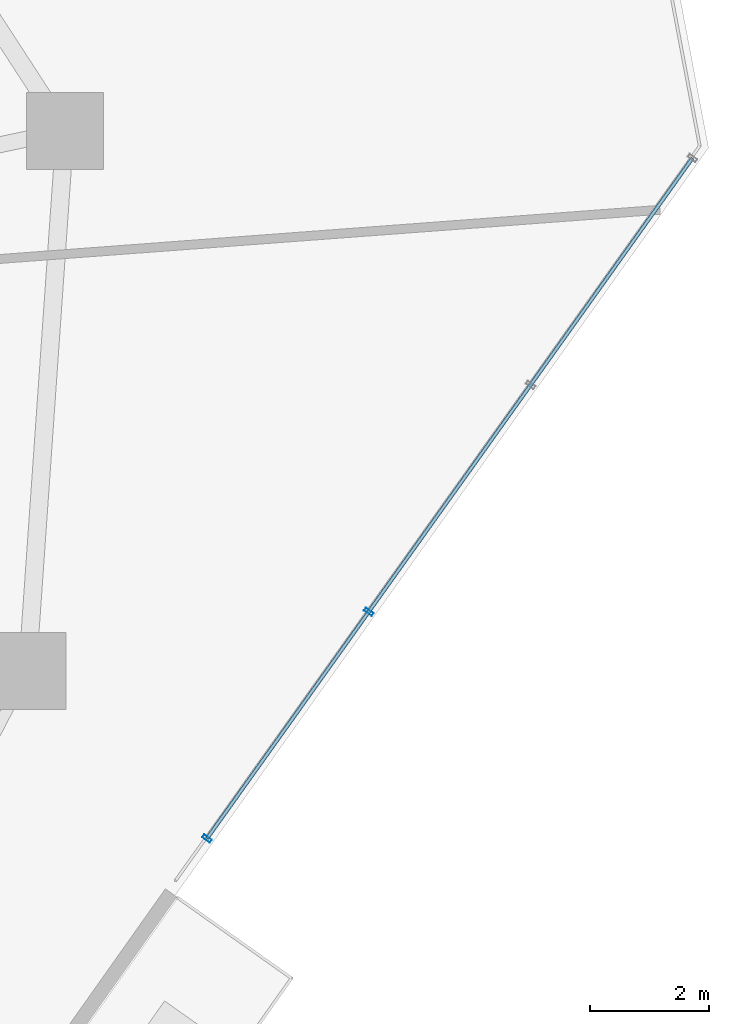
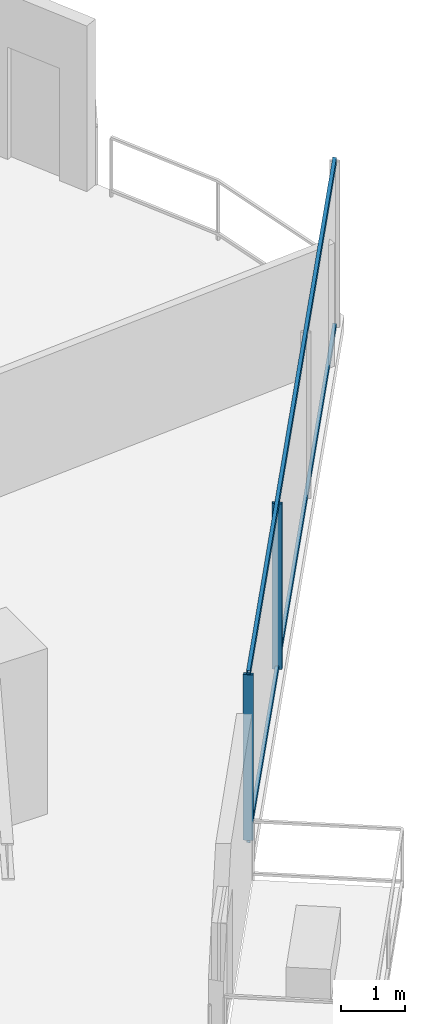
# One storey, part 13 of 30: 4 members, 1 element without a shape of its own.
"""IFC4 building model written with IfcOpenShell, lengths in metres."""

from ifc_helpers import new_model, si_unit, direction, frame, origin, origin_2d, place, context, subcontext, project, spatial, hollow_rectangle, extrude, material, layer, layer_set, material_profile, profile_set, type_object, element, aggregate, save


model = new_model("IFC4")

# Units and contexts
model_context = context("Model", 3, precision=1e-05, world=origin(), true_north=direction((0.0, 1.0)))
body_context = subcontext(model_context, "Body", "Model", "MODEL_VIEW")
ifc_project = project(units=[si_unit("LENGTHUNIT", "METRE"), si_unit("AREAUNIT", "SQUARE_METRE"), si_unit("VOLUMEUNIT", "CUBIC_METRE"), si_unit("PLANEANGLEUNIT", "RADIAN"), si_unit("MASSUNIT", "GRAM", prefix="KILO")], contexts=[model_context])

# Site, building, storey
site_placement = place(None, origin())
site = spatial("IfcSite", under=ifc_project, at=site_placement, CompositionType="ELEMENT")
building_placement = place(site_placement, origin())
building = spatial("IfcBuilding", under=site, at=building_placement, Name="Qarnah Convention Tower", CompositionType="ELEMENT")
storey_placement = place(building_placement, frame((0.0, 0.0, 47.699951171875)))
storey = spatial("IfcBuildingStorey", under=building, at=storey_placement, Name="L11", CompositionType="ELEMENT", Elevation=47.699951171875)

# Curtain wall, members
ifc_material_1 = material(Name="Tempered Low-E dark glass", Category="glass")
ifc_layer = layer(ifc_material_1, 0.16796875)
ifc_layer_set = layer_set([ifc_layer], Name="Tempered Low-E dark glass")
curtain_wall_type = type_object("IfcCurtainWallType", Name="CWS-01", PredefinedType="NOTDEFINED", material=ifc_layer_set)
curtain_wall_placement = place(storey_placement, origin())
curtain_wall = element("IfcCurtainWall", 1, at=curtain_wall_placement, inside=storey, type_object=curtain_wall_type, Name="L11 unitised curtain wall CW-L11-F3", PredefinedType="NOTDEFINED")
ifc_material_2 = material(Name="Black anodised aluminium", Category="aluminium")
ifc_material_profile_1 = material_profile(ifc_material_2, hollow_rectangle(XDim=0.06005859375, YDim=0.159912109375, WallThickness=0.00390625, at=origin_2d()), Name="MUL-60X160")
ifc_profile_set_1 = profile_set([ifc_material_profile_1], Name="Black anodised aluminium")
member_type_1 = type_object("IfcMemberType", Name="MUL-T1", PredefinedType="MULLION", material=ifc_profile_set_1)
member_1_placement = place(storey_placement, frame((58.506591796875, 21.735107421875, 0.0), z_axis=(0.0, 0.0, 1.0), x_axis=(-0.580808410009, -0.814040288231, 0.0)))
member_1 = element("IfcMember", 2, at=member_1_placement, type_object=member_type_1, Name="CW-L11-F3 mullion 3", PredefinedType="MULLION", context=body_context, shape_type="SweptSolid", body=[
    extrude(hollow_rectangle(XDim=0.06005859375, YDim=0.159912109375, WallThickness=0.00390625, at=origin_2d()), origin(), (0.0, 0.0, 1.0), 3.170166015625),
])
member_2_placement = place(storey_placement, frame((55.779052734375, 17.912109375, 0.0), z_axis=(0.0, 0.0, 1.0), x_axis=(-0.580808410009, -0.814040288231, 0.0)))
member_2 = element("IfcMember", 3, at=member_2_placement, type_object=member_type_1, Name="CW-L11-F3 mullion 4", PredefinedType="MULLION", context=body_context, shape_type="SweptSolid", body=[
    extrude(hollow_rectangle(XDim=0.06005859375, YDim=0.159912109375, WallThickness=0.00390625, at=origin_2d()), origin(), (0.0, 0.0, 1.0), 3.170166015625),
])
ifc_material_profile_2 = material_profile(ifc_material_2, hollow_rectangle(XDim=0.06005859375, YDim=0.1298828125, WallThickness=0.00390625, at=origin_2d()), Name="TRN-60X130")
ifc_profile_set_2 = profile_set([ifc_material_profile_2], Name="Black anodised aluminium")
member_type_2 = type_object("IfcMemberType", Name="TRN-T1", PredefinedType="USERDEFINED", material=ifc_profile_set_2)
member_3_placement = place(storey_placement, frame((63.9619140625, 29.381103515625, 0.0), z_axis=(-0.580802085685, -0.814044800526, 0.0), x_axis=(0.814044800526, -0.580802085685, 0.0)))
member_3 = element("IfcMember", 4, at=member_3_placement, type_object=member_type_2, Name="CW-L11-F3 transom 1", ObjectType="TRANSOM", PredefinedType="USERDEFINED", context=body_context, shape_type="SweptSolid", body=[
    extrude(hollow_rectangle(XDim=0.06005859375, YDim=0.1298828125, WallThickness=0.00390625, at=origin_2d()), origin(), (0.0, 0.0, 1.0), 14.0888671875),
])
member_4_placement = place(storey_placement, frame((63.9619140625, 29.381103515625, 3.170166015625), z_axis=(-0.580802085685, -0.814044800526, 0.0), x_axis=(0.814044800526, -0.580802085685, 0.0)))
member_4 = element("IfcMember", 5, at=member_4_placement, type_object=member_type_2, Name="CW-L11-F3 transom 2", ObjectType="TRANSOM", PredefinedType="USERDEFINED", context=body_context, shape_type="SweptSolid", body=[
    extrude(hollow_rectangle(XDim=0.06005859375, YDim=0.1298828125, WallThickness=0.00390625, at=origin_2d()), origin(), (0.0, 0.0, 1.0), 14.0888671875),
])
aggregate(curtain_wall, [member_1, member_2, member_3, member_4])

save(model, "model.ifc")
